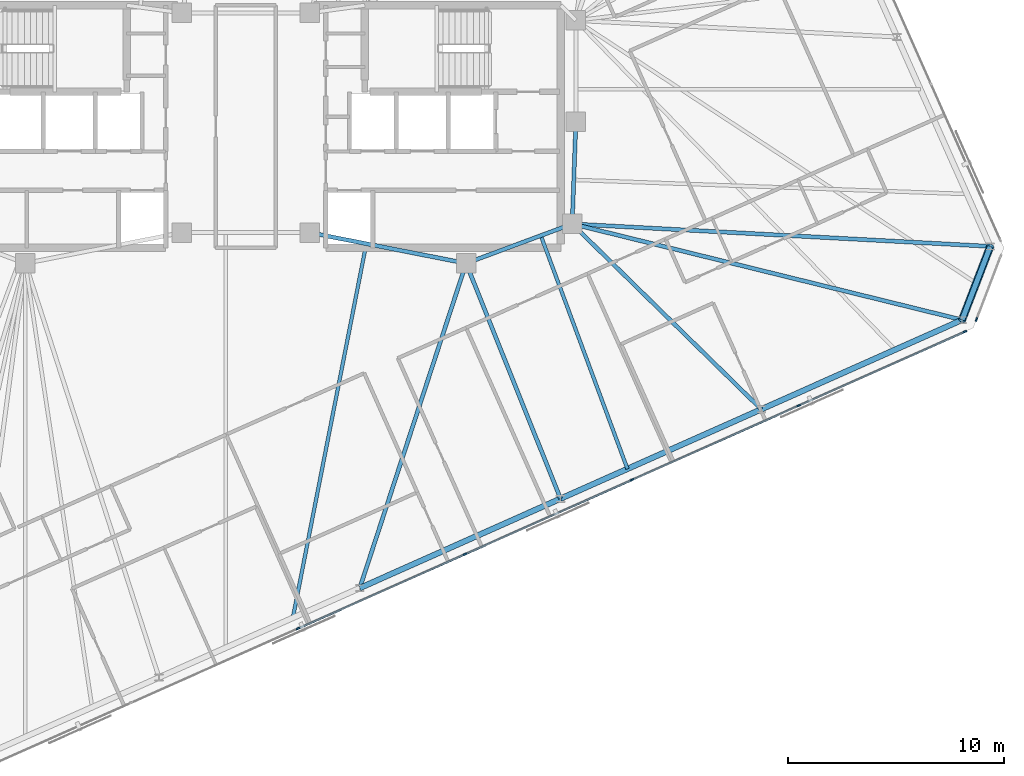
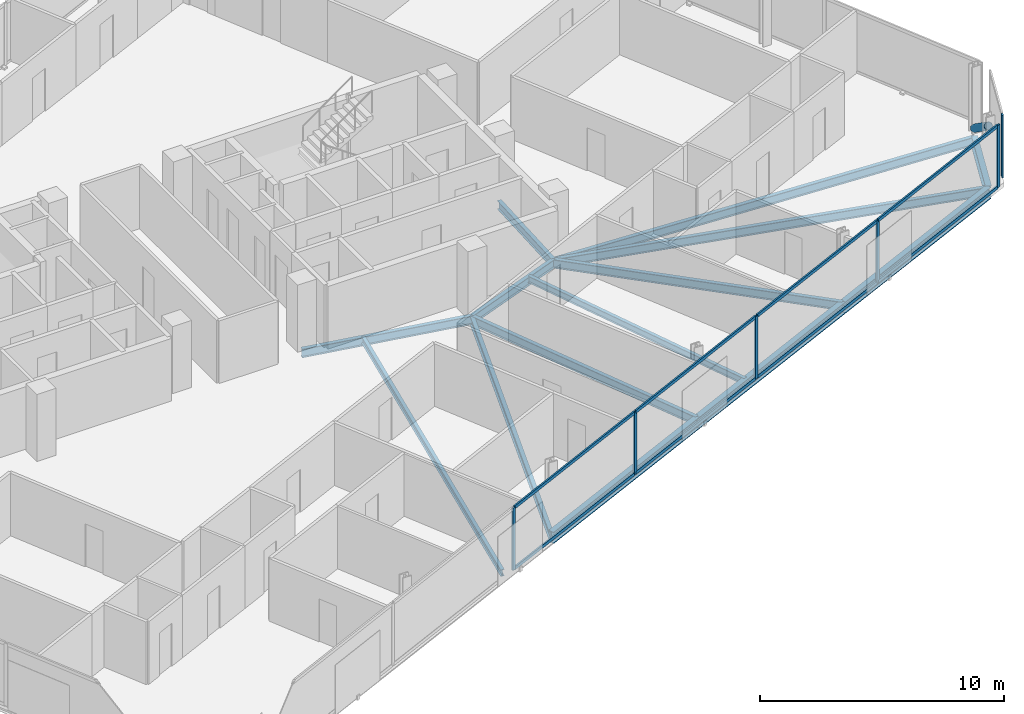
# One storey, part 7 of 18: 15 members, 14 beams, 2 elements without a shape of their own.
"""IFC4 building model written with IfcOpenShell, lengths in metres."""

from ifc_helpers import new_model, si_unit, direction, frame, origin, origin_2d, place, context, subcontext, project, spatial, rectangle, hollow_circle, i_section, extrude, material, material_profile, profile_set, type_object, element, aggregate, save


model = new_model("IFC4")

# Units and contexts
model_context = context("Model", 3, precision=1e-05, world=origin(), true_north=direction((0.0, 1.0)))
body_context = subcontext(model_context, "Body", "Model", "MODEL_VIEW")
ifc_project = project(units=[si_unit("LENGTHUNIT", "METRE"), si_unit("AREAUNIT", "SQUARE_METRE"), si_unit("VOLUMEUNIT", "CUBIC_METRE"), si_unit("PLANEANGLEUNIT", "RADIAN"), si_unit("MASSUNIT", "GRAM", prefix="KILO")], contexts=[model_context])

# Site, building, storey
site_placement = place(None, origin())
site = spatial("IfcSite", under=ifc_project, at=site_placement, CompositionType="ELEMENT")
building_placement = place(site_placement, origin())
building = spatial("IfcBuilding", under=site, at=building_placement, Name="Menara Jurai Vektor", CompositionType="ELEMENT")
storey_placement = place(building_placement, frame((0.0, 0.0, 298.64990234375)))
storey = spatial("IfcBuildingStorey", under=building, at=storey_placement, Name="L80", CompositionType="ELEMENT", Elevation=298.64990234375)

# Curtain wall, members
ifc_material_1 = material(Name="Anodised Pale Aluminium & Low-E Double Glazing", Category="aluminium")
curtain_wall_type = type_object("IfcCurtainWallType", Name="CW-BLK5", PredefinedType="NOTDEFINED", material=ifc_material_1)
curtain_wall_1_placement = place(storey_placement, origin())
curtain_wall_1 = element("IfcCurtainWall", 1, at=curtain_wall_1_placement, inside=storey, type_object=curtain_wall_type, Name="Unitised Curtain Wall L80 F01", PredefinedType="NOTDEFINED")
ifc_material_2 = material(Name="Anodised Pale Aluminium Mullion", Category="aluminium")
ifc_material_profile_1 = material_profile(ifc_material_2, rectangle(XDim=0.074951171875, YDim=0.175048828125, at=origin_2d()), Name="ALU MUL 75x175")
ifc_profile_set_1 = profile_set([ifc_material_profile_1], Name="Anodised Pale Aluminium Mullion")
member_type_1 = type_object("IfcMemberType", Name="CW-BLK5-MUL", PredefinedType="MULLION", material=ifc_profile_set_1)
member_1_placement = place(storey_placement, frame((2.417724609375, -23.190185546875, 0.0), z_axis=(0.0, 0.0, 1.0), x_axis=(-0.406735498684, 0.913545967158, 0.0)))
member_1 = element("IfcMember", 2, at=member_1_placement, type_object=member_type_1, Name="CW-05 mullion 3", PredefinedType="MULLION", context=body_context, shape_type="SweptSolid", body=[
    extrude(rectangle(XDim=0.074951171875, YDim=0.175048828125, at=origin_2d()), origin(), (0.0, 0.0, 1.0), 3.125),
])
member_2_placement = place(storey_placement, frame((10.1279296875, -19.75732421875, 0.0), z_axis=(0.0, 0.0, 1.0), x_axis=(-0.406735498684, 0.913545967158, 0.0)))
member_2 = element("IfcMember", 3, at=member_2_placement, type_object=member_type_1, Name="CW-05 mullion 4", PredefinedType="MULLION", context=body_context, shape_type="SweptSolid", body=[
    extrude(rectangle(XDim=0.074951171875, YDim=0.175048828125, at=origin_2d()), origin(), (0.0, 0.0, 1.0), 3.125),
])
member_3_placement = place(storey_placement, frame((17.83837890625, -16.324462890625, 0.0), z_axis=(0.0, 0.0, 1.0), x_axis=(-0.406735498684, 0.913545967158, 0.0)))
member_3 = element("IfcMember", 4, at=member_3_placement, type_object=member_type_1, Name="CW-05 mullion 5", PredefinedType="MULLION", context=body_context, shape_type="SweptSolid", body=[
    extrude(rectangle(XDim=0.074951171875, YDim=0.175048828125, at=origin_2d()), origin(), (0.0, 0.0, 1.0), 3.125),
])
member_4_placement = place(storey_placement, frame((25.548583984375, -12.8916015625, 0.0), z_axis=(0.0, 0.0, 1.0), x_axis=(-0.406735498684, 0.913545967158, 0.0)))
member_4 = element("IfcMember", 5, at=member_4_placement, type_object=member_type_1, Name="CW-05 mullion 6", PredefinedType="MULLION", context=body_context, shape_type="SweptSolid", body=[
    extrude(rectangle(XDim=0.074951171875, YDim=0.175048828125, at=origin_2d()), origin(), (0.0, 0.0, 1.0), 3.125),
])
member_5_placement = place(storey_placement, frame((33.224853515625, -9.47412109375, 0.0), z_axis=(0.0, 0.0, 1.0), x_axis=(-0.406735498684, 0.913545967158, 0.0)))
member_5 = element("IfcMember", 6, at=member_5_placement, type_object=member_type_1, Name="CW-05 mullion 7", PredefinedType="MULLION", context=body_context, shape_type="SweptSolid", body=[
    extrude(rectangle(XDim=0.074951171875, YDim=0.175048828125, at=origin_2d()), origin(), (0.0, 0.0, 1.0), 3.125),
])

# Curtain wall, member
curtain_wall_2_placement = place(storey_placement, origin())
curtain_wall_2 = element("IfcCurtainWall", 7, at=curtain_wall_2_placement, inside=storey, type_object=curtain_wall_type, Name="Unitised Curtain Wall L80 F02", PredefinedType="NOTDEFINED")
member_6_placement = place(storey_placement, frame((33.755859375, -8.914306640625, 0.0), z_axis=(0.0, 0.0, 1.0), x_axis=(-0.933578193639, 0.358373766287, 0.0)))
member_6 = element("IfcMember", 8, at=member_6_placement, type_object=member_type_1, Name="CW-05 mullion 1", PredefinedType="MULLION", context=body_context, shape_type="SweptSolid", body=[
    extrude(rectangle(XDim=0.074951171875, YDim=0.175048828125, at=origin_2d()), origin(), (0.0, 0.0, 1.0), 3.125),
])
aggregate(curtain_wall_2, [member_6])

# Member
ifc_material_3 = material(Name="Anodised Pale Aluminium Transom", Category="aluminium")
ifc_material_profile_2 = material_profile(ifc_material_3, rectangle(XDim=0.074951171875, YDim=0.155029296875, at=origin_2d()), Name="ALU TRN 75x155")
ifc_profile_set_2 = profile_set([ifc_material_profile_2], Name="Anodised Pale Aluminium Transom")
member_type_2 = type_object("IfcMemberType", Name="CW-BLK5-TRN", PredefinedType="USERDEFINED", material=ifc_profile_set_2)
member_7_placement = place(storey_placement, frame((2.451904296875, -23.175048828125, 0.03759765625), z_axis=(0.913546575494, 0.406734132331, 0.0), x_axis=(-0.406734132331, 0.913546575494, 0.0)))
member_7 = element("IfcMember", 9, at=member_7_placement, type_object=member_type_2, Name="CW-05 transom 3.1", ObjectType="TRANSOM", PredefinedType="USERDEFINED", context=body_context, shape_type="SweptSolid", body=[
    extrude(rectangle(XDim=0.074951171875, YDim=0.155029296875, at=origin_2d()), origin(), (0.0, 0.0, 1.0), 8.364990234375),
])

member_8_placement = place(storey_placement, frame((2.451904296875, -23.175048828125, 3.087646484375), z_axis=(0.913546575494, 0.406734132331, 0.0), x_axis=(-0.406734132331, 0.913546575494, 0.0)))
member_8 = element("IfcMember", 10, at=member_8_placement, type_object=member_type_2, Name="CW-05 transom 3.2", ObjectType="TRANSOM", PredefinedType="USERDEFINED", context=body_context, shape_type="SweptSolid", body=[
    extrude(rectangle(XDim=0.074951171875, YDim=0.155029296875, at=origin_2d()), origin(), (0.0, 0.0, 1.0), 8.364990234375),
])

member_9_placement = place(storey_placement, frame((10.162353515625, -19.7421875, 0.03759765625), z_axis=(0.913541747007, 0.406744977198, 0.0), x_axis=(-0.406744977198, 0.913541747007, 0.0)))
member_9 = element("IfcMember", 11, at=member_9_placement, type_object=member_type_2, Name="CW-05 transom 4.1", ObjectType="TRANSOM", PredefinedType="USERDEFINED", context=body_context, shape_type="SweptSolid", body=[
    extrude(rectangle(XDim=0.074951171875, YDim=0.155029296875, at=origin_2d()), origin(), (0.0, 0.0, 1.0), 8.36474609375),
])

member_10_placement = place(storey_placement, frame((10.162353515625, -19.7421875, 3.087646484375), z_axis=(0.913541747007, 0.406744977198, 0.0), x_axis=(-0.406744977198, 0.913541747007, 0.0)))
member_10 = element("IfcMember", 12, at=member_10_placement, type_object=member_type_2, Name="CW-05 transom 4.2", ObjectType="TRANSOM", PredefinedType="USERDEFINED", context=body_context, shape_type="SweptSolid", body=[
    extrude(rectangle(XDim=0.074951171875, YDim=0.155029296875, at=origin_2d()), origin(), (0.0, 0.0, 1.0), 8.36474609375),
])

member_11_placement = place(storey_placement, frame((17.87255859375, -16.309326171875, 0.03759765625), z_axis=(0.913546575494, 0.406734132331, 0.0), x_axis=(-0.406734132331, 0.913546575494, 0.0)))
member_11 = element("IfcMember", 13, at=member_11_placement, type_object=member_type_2, Name="CW-05 transom 5.1", ObjectType="TRANSOM", PredefinedType="USERDEFINED", context=body_context, shape_type="SweptSolid", body=[
    extrude(rectangle(XDim=0.074951171875, YDim=0.155029296875, at=origin_2d()), origin(), (0.0, 0.0, 1.0), 8.364990234375),
])

member_12_placement = place(storey_placement, frame((17.87255859375, -16.309326171875, 3.087646484375), z_axis=(0.913546575494, 0.406734132331, 0.0), x_axis=(-0.406734132331, 0.913546575494, 0.0)))
member_12 = element("IfcMember", 14, at=member_12_placement, type_object=member_type_2, Name="CW-05 transom 5.2", ObjectType="TRANSOM", PredefinedType="USERDEFINED", context=body_context, shape_type="SweptSolid", body=[
    extrude(rectangle(XDim=0.074951171875, YDim=0.155029296875, at=origin_2d()), origin(), (0.0, 0.0, 1.0), 8.364990234375),
])

member_13_placement = place(storey_placement, frame((25.5830078125, -12.87646484375, 0.03759765625), z_axis=(0.91353811338, 0.406753138159, 0.0), x_axis=(-0.406753138159, 0.91353811338, 0.0)))
member_13 = element("IfcMember", 15, at=member_13_placement, type_object=member_type_2, Name="CW-05 transom 6.1", ObjectType="TRANSOM", PredefinedType="USERDEFINED", context=body_context, shape_type="SweptSolid", body=[
    extrude(rectangle(XDim=0.074951171875, YDim=0.155029296875, at=origin_2d()), origin(), (0.0, 0.0, 1.0), 8.327392578125),
])

member_14_placement = place(storey_placement, frame((25.5830078125, -12.87646484375, 3.087646484375), z_axis=(0.91353811338, 0.406753138159, 0.0), x_axis=(-0.406753138159, 0.91353811338, 0.0)))
member_14 = element("IfcMember", 16, at=member_14_placement, type_object=member_type_2, Name="CW-05 transom 6.2", ObjectType="TRANSOM", PredefinedType="USERDEFINED", context=body_context, shape_type="SweptSolid", body=[
    extrude(rectangle(XDim=0.074951171875, YDim=0.155029296875, at=origin_2d()), origin(), (0.0, 0.0, 1.0), 8.327392578125),
])

aggregate(curtain_wall_1, [member_1, member_2, member_3, member_4, member_5, member_7, member_8, member_9, member_10, member_11, member_12, member_13, member_14])

# Beams
ifc_material_4 = material(Name="Steel S355", Category="steel")
ifc_material_profile_3 = material_profile(ifc_material_4, i_section(OverallWidth=0.18505859375, OverallDepth=0.429931640625, WebThickness=0.010986328125, FlangeThickness=0.01806640625, at=origin_2d()), Name="PG 430x185x76")
ifc_profile_set_3 = profile_set([ifc_material_profile_3], Name="Steel S355")
beam_type_1 = type_object("IfcBeamType", Name="STR-BM-430", PredefinedType="BEAM", material=ifc_profile_set_3)
beam_1_placement = place(storey_placement, frame((15.080078125, -4.5, -0.43994140625), z_axis=(0.035977314146, 0.999352606874, 0.0), x_axis=(-0.999352606874, 0.035977314146, 0.0)))
element("IfcBeam", 17, at=beam_1_placement, inside=storey, type_object=beam_type_1, Name="Core Ring Header Girder L80-CHE-E2", PredefinedType="BEAM", context=body_context, shape_type="SweptSolid", body=[
    extrude(i_section(OverallWidth=0.18505859375, OverallDepth=0.429931640625, WebThickness=0.010986328125, FlangeThickness=0.01806640625, at=origin_2d()), origin(), (0.0, 0.0, 1.0), 4.72314453125),
])
beam_2_placement = place(storey_placement, frame((10.179931640625, -6.320068359375, -0.43994140625), z_axis=(0.937424400887, 0.348188874925, 0.0), x_axis=(-0.348188874925, 0.937424400887, 0.0)))
element("IfcBeam", 18, at=beam_2_placement, inside=storey, type_object=beam_type_1, Name="Core Ring Header Girder L80-CHE-S1", PredefinedType="BEAM", context=body_context, shape_type="SweptSolid", body=[
    extrude(i_section(OverallWidth=0.18505859375, OverallDepth=0.429931640625, WebThickness=0.010986328125, FlangeThickness=0.01806640625, at=origin_2d()), origin(), (0.0, 0.0, 1.0), 5.227294921875),
])
beam_3_placement = place(storey_placement, frame((2.949951171875, -4.89990234375, -0.43994140625), z_axis=(0.981249044334, -0.192744164614, 0.0), x_axis=(0.192744164614, 0.981249044334, 0.0)))
element("IfcBeam", 19, at=beam_3_placement, inside=storey, type_object=beam_type_1, Name="Core Ring Header Girder L80-CHE-S2", PredefinedType="BEAM", context=body_context, shape_type="SweptSolid", body=[
    extrude(i_section(OverallWidth=0.18505859375, OverallDepth=0.429931640625, WebThickness=0.010986328125, FlangeThickness=0.01806640625, at=origin_2d()), origin(), (0.0, 0.0, 1.0), 7.3681640625),
])
beam_4_placement = place(storey_placement, frame((5.267578125, -21.3193359375, -0.43994140625), z_axis=(0.311239486704, 0.950331511587, 0.0), x_axis=(-0.950331511587, 0.311239486704, 0.0)))
element("IfcBeam", 20, at=beam_4_placement, inside=storey, type_object=beam_type_1, Name="Radial Floor Girder L80-S3", PredefinedType="BEAM", context=body_context, shape_type="SweptSolid", body=[
    extrude(i_section(OverallWidth=0.18505859375, OverallDepth=0.429931640625, WebThickness=0.010986328125, FlangeThickness=0.01806640625, at=origin_2d()), origin(), (0.0, 0.0, 1.0), 15.783203125),
])
beam_5_placement = place(storey_placement, frame((14.541015625, -17.1904296875, -0.43994140625), z_axis=(-0.372342852726, 0.928095253745, 0.0), x_axis=(-0.928095253745, -0.372342852726, 0.0)))
element("IfcBeam", 21, at=beam_5_placement, inside=storey, type_object=beam_type_1, Name="Radial Floor Girder L80-S4", PredefinedType="BEAM", context=body_context, shape_type="SweptSolid", body=[
    extrude(i_section(OverallWidth=0.18505859375, OverallDepth=0.429931640625, WebThickness=0.010986328125, FlangeThickness=0.01806640625, at=origin_2d()), origin(), (0.0, 0.0, 1.0), 11.712646484375),
])
beam_6_placement = place(storey_placement, frame((23.814697265625, -13.061767578125, -0.43994140625), z_axis=(-0.714137598149, 0.70000535063, 0.0), x_axis=(-0.70000535063, -0.714137598149, 0.0)))
element("IfcBeam", 22, at=beam_6_placement, inside=storey, type_object=beam_type_1, Name="Radial Floor Girder L80-S5", PredefinedType="BEAM", context=body_context, shape_type="SweptSolid", body=[
    extrude(i_section(OverallWidth=0.18505859375, OverallDepth=0.429931640625, WebThickness=0.010986328125, FlangeThickness=0.01806640625, at=origin_2d()), origin(), (0.0, 0.0, 1.0), 12.23095703125),
])
beam_7_placement = place(storey_placement, frame((33.088134765625, -8.932861328125, -0.43994140625), z_axis=(-0.971013515776, 0.239024584888, 0.0), x_axis=(-0.239024584888, -0.971013515776, 0.0)))
element("IfcBeam", 23, at=beam_7_placement, inside=storey, type_object=beam_type_1, Name="Radial Floor Girder L80-S6", PredefinedType="BEAM", context=body_context, shape_type="SweptSolid", body=[
    extrude(i_section(OverallWidth=0.18505859375, OverallDepth=0.429931640625, WebThickness=0.010986328125, FlangeThickness=0.01806640625, at=origin_2d()), origin(), (0.0, 0.0, 1.0), 18.545654296875),
])
beam_8_placement = place(storey_placement, frame((34.3916015625, -5.536865234375, -0.43994140625), z_axis=(-0.998561718759, 0.053614306189, 0.0), x_axis=(-0.053614306189, -0.998561718759, 0.0)))
element("IfcBeam", 24, at=beam_8_placement, inside=storey, type_object=beam_type_1, Name="Radial Floor Girder L80-E1", PredefinedType="BEAM", context=body_context, shape_type="SweptSolid", body=[
    extrude(i_section(OverallWidth=0.18505859375, OverallDepth=0.429931640625, WebThickness=0.010986328125, FlangeThickness=0.01806640625, at=origin_2d()), origin(), (0.0, 0.0, 1.0), 19.33935546875),
])

# Member
ifc_material_5 = material(Name="Steel S460", Category="steel")
ifc_material_profile_4 = material_profile(ifc_material_5, hollow_circle(Radius=0.177734375, WallThickness=0.01611328125, at=origin_2d()), Name="CHS 355.6x16")
ifc_profile_set_4 = profile_set([ifc_material_profile_4], Name="Steel S460")
member_type_3 = type_object("IfcMemberType", Name="STR-BR-356", PredefinedType="BRACE", material=ifc_profile_set_4)
member_15_placement = place(storey_placement, frame((34.3916015625, -5.536865234375, 0.150146484375), z_axis=(-0.290575939475, -0.757054002265, 0.585179340931), x_axis=(0.933592747566, -0.358335850414, 0.0)))
element("IfcMember", 25, at=member_15_placement, inside=storey, type_object=member_type_3, Name="Exoskeleton Corner Brace L80-1", PredefinedType="BRACE", context=body_context, shape_type="SweptSolid", body=[
    extrude(hollow_circle(Radius=0.177734375, WallThickness=0.01611328125, at=origin_2d()), origin(), (0.0, 0.0, 1.0), 4.48583984375),
])

# Beams
ifc_material_profile_5 = material_profile(ifc_material_4, i_section(OverallWidth=0.1650390625, OverallDepth=0.330078125, WebThickness=0.009033203125, FlangeThickness=0.013916015625, at=origin_2d()), Name="PG 330x165x46")
ifc_profile_set_5 = profile_set([ifc_material_profile_5], Name="Steel S355")
beam_type_2 = type_object("IfcBeamType", Name="STR-JS-330", PredefinedType="JOIST", material=ifc_profile_set_5)
beam_9_placement = place(storey_placement, frame((2.176513671875, -22.695556640625, -0.389892578125), z_axis=(0.192710503651, 0.981255655669, 0.0), x_axis=(-0.981255655669, 0.192710503651, 0.0)))
element("IfcBeam", 26, at=beam_9_placement, inside=storey, type_object=beam_type_2, Name="Radial Secondary Floor Joist L80-JS04", PredefinedType="JOIST", context=body_context, shape_type="SweptSolid", body=[
    extrude(i_section(OverallWidth=0.1650390625, OverallDepth=0.330078125, WebThickness=0.009033203125, FlangeThickness=0.013916015625, at=origin_2d()), origin(), (0.0, 0.0, 1.0), 17.61083984375),
])
beam_10_placement = place(storey_placement, frame((17.632080078125, -15.814208984375, -0.389892578125), z_axis=(-0.348172664726, 0.937430421705, 0.0), x_axis=(-0.937430421705, -0.348172664726, 0.0)))
element("IfcBeam", 27, at=beam_10_placement, inside=storey, type_object=beam_type_2, Name="Radial Secondary Floor Joist L80-JS05", PredefinedType="JOIST", context=body_context, shape_type="SweptSolid", body=[
    extrude(i_section(OverallWidth=0.1650390625, OverallDepth=0.330078125, WebThickness=0.009033203125, FlangeThickness=0.013916015625, at=origin_2d()), origin(), (0.0, 0.0, 1.0), 11.494873046875),
])
ifc_material_profile_6 = material_profile(ifc_material_4, i_section(OverallWidth=0.260009765625, OverallDepth=0.570068359375, WebThickness=0.013916015625, FlangeThickness=0.02392578125, at=origin_2d()), Name="PG 570x260x145")
ifc_profile_set_6 = profile_set([ifc_material_profile_6], Name="Steel S355")
beam_type_3 = type_object("IfcBeamType", Name="STR-SP-570", PredefinedType="SPANDREL", material=ifc_profile_set_6)
for number, where, z_axis, x_axis, name in (
    (28, (5.267578125, -21.3193359375, -0.510009765625), (0.913541582548, 0.406745346568, 0.0), (-0.406745346568, 0.913541582548, 0.0), "Exoskeleton Spandrel Beam L80-03"),
    (29, (14.541015625, -17.1904296875, -0.510009765625), (0.913554497648, 0.406716338284, 0.0), (-0.406716338284, 0.913554497648, 0.0), "Exoskeleton Spandrel Beam L80-04"),
    (30, (23.814697265625, -13.061767578125, -0.510009765625), (0.913541582548, 0.406745346568, 0.0), (-0.406745346568, 0.913541582548, 0.0), "Exoskeleton Spandrel Beam L80-05"),
):
    element("IfcBeam", number, at=place(storey_placement, frame(where, z_axis=z_axis, x_axis=x_axis)), inside=storey, type_object=beam_type_3, Name=name, PredefinedType="SPANDREL", context=body_context, shape_type="SweptSolid", body=[
        extrude(i_section(OverallWidth=0.260009765625, OverallDepth=0.570068359375, WebThickness=0.013916015625, FlangeThickness=0.02392578125, at=origin_2d()), origin(), (0.0, 0.0, 1.0), 10.151123046875),
    ])
beam_11_placement = place(storey_placement, frame((33.088134765625, -8.932861328125, -0.510009765625), z_axis=(0.358335850414, 0.933592747566, 0.0), x_axis=(-0.933592747566, 0.358335850414, 0.0)))
element("IfcBeam", 31, at=beam_11_placement, inside=storey, type_object=beam_type_3, Name="Exoskeleton Spandrel Beam L80-06", PredefinedType="SPANDREL", context=body_context, shape_type="SweptSolid", body=[
    extrude(i_section(OverallWidth=0.260009765625, OverallDepth=0.570068359375, WebThickness=0.013916015625, FlangeThickness=0.02392578125, at=origin_2d()), origin(), (0.0, 0.0, 1.0), 3.637451171875),
])

save(model, "model.ifc")
